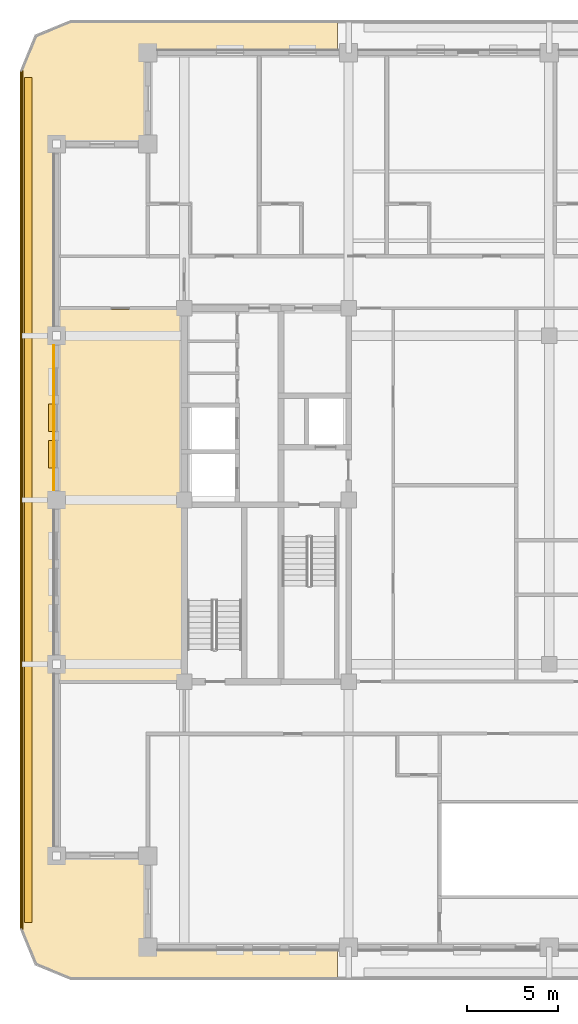
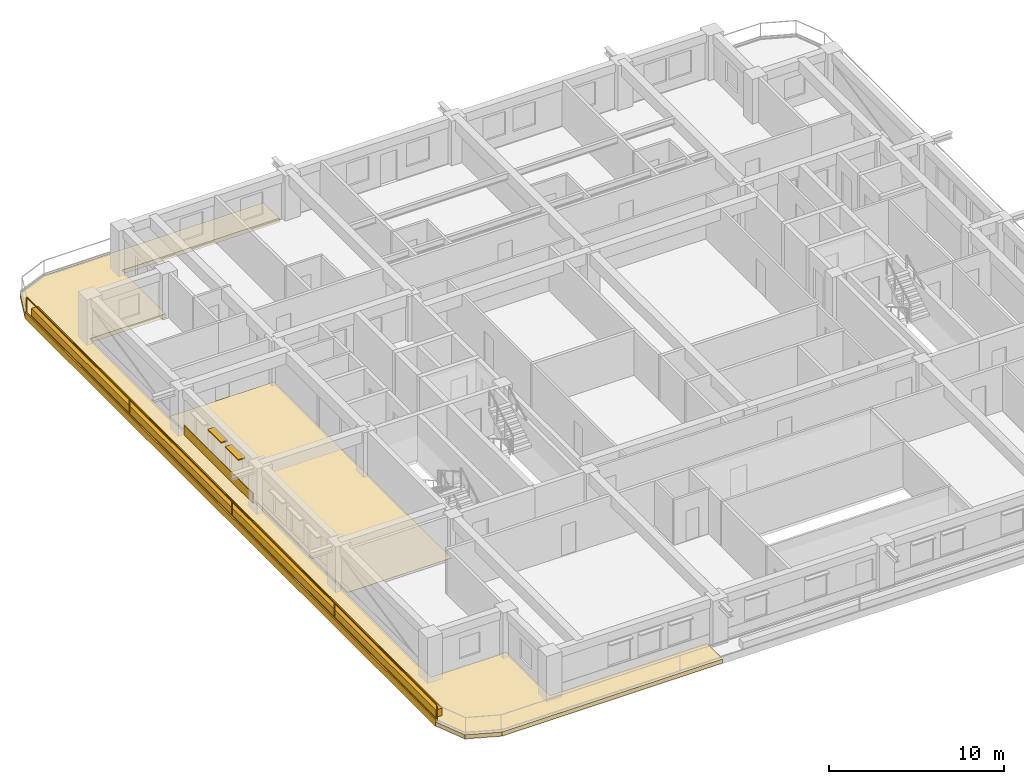
# One storey, part 10 of 14: 5 coverings, 2 shading devices, 1 railing.
"""IFC4 building model written with IfcOpenShell, lengths in metres."""

import ifcopenshell
import ifcopenshell.guid

model = None  # the IFC model being written
_history = None  # IfcOwnerHistory: only IFC2X3 demands one
_inside = {}  # id of a spatial element -> (the spatial element, [elements in it])
_under = {}  # id of a project, library or spatial element -> (it, [spatial elements below it])
_declared = {}  # id of a project -> (the project, [libraries it declares])
_typed = {}  # id of a type object -> (the type object, [elements of that type])
_made_of = {}  # id of a material, layer set ... -> (it, [elements and type objects made of it])


def new_model(schema):
    """Start an empty IFC model of exactly this schema.

    Asked for "IFC4X3", IfcOpenShell would pick the latest addendum, in which some entities
    have other attributes; the version numbers below select the first issue.
    IFC2X3 requires an IfcOwnerHistory on every rooted entity: one is made here for all.
    """
    global model, _history
    if schema == "IFC4X3":
        model = ifcopenshell.file(schema_version=(4, 3, 0, 0))
    else:
        model = ifcopenshell.file(schema=schema)
    _inside.clear()
    _under.clear()
    _declared.clear()
    _typed.clear()
    _made_of.clear()
    _history = None
    if model.schema == "IFC2X3":
        org = make("IfcOrganization", Name="unknown")
        user = make(
            "IfcPersonAndOrganization",
            ThePerson=make("IfcPerson", FamilyName="unknown"),
            TheOrganization=org,
        )
        app = make(
            "IfcApplication",
            ApplicationDeveloper=org,
            Version="unknown",
            ApplicationFullName="unknown",
            ApplicationIdentifier="unknown",
        )
        _history = make(
            "IfcOwnerHistory",
            OwningUser=user,
            OwningApplication=app,
            ChangeAction="ADDED",
            CreationDate=0,
        )
    return model


def make(cls, **values):
    """One entity of the class cls with the attributes given. An attribute that is None is left unset."""
    return model.create_entity(
        cls, **{name: value for name, value in values.items() if value is not None}
    )


def rooted(cls, **values):
    """An entity with a GlobalId (a new one), such as an element, a storey or a relation."""
    return make(cls, GlobalId=ifcopenshell.guid.new(), OwnerHistory=_history, **values)


def si_unit(unit_type, name, prefix=None):
    """IfcSIUnit, for example si_unit("LENGTHUNIT", "METRE", prefix="MILLI")."""
    return make("IfcSIUnit", UnitType=unit_type, Prefix=prefix, Name=name)


def assignment(units):
    """IfcUnitAssignment: the units of a project."""
    return None if units is None else make("IfcUnitAssignment", Units=units)


def point(xyz):
    """IfcCartesianPoint."""
    return None if xyz is None else make("IfcCartesianPoint", Coordinates=xyz)


def direction(xyz):
    """IfcDirection."""
    return None if xyz is None else make("IfcDirection", DirectionRatios=xyz)


def frame(location, z_axis=None, x_axis=None):
    """IfcAxis2Placement3D, a coordinate frame: its origin and axes. An axis left out is left unset."""
    return make(
        "IfcAxis2Placement3D",
        Location=point(location),
        Axis=direction(z_axis),
        RefDirection=direction(x_axis),
    )


def frame_2d(location, x_axis=None):
    """IfcAxis2Placement2D, a coordinate frame in the plane: its origin and x axis."""
    return make(
        "IfcAxis2Placement2D", Location=point(location), RefDirection=direction(x_axis)
    )


def origin():
    """The frame at (0, 0, 0) with its axes left unset."""
    return frame((0.0, 0.0, 0.0))


def origin_2d():
    """The frame at (0, 0) in the plane with its x axis left unset."""
    return frame_2d((0.0, 0.0))


def place(relative_to, where):
    """IfcLocalPlacement: puts the frame where relative to a parent placement (None: the world)."""
    return make(
        "IfcLocalPlacement", PlacementRelTo=relative_to, RelativePlacement=where
    )


def context(
    kind, dimensions, precision=None, world=None, true_north=None, identifier=None
):
    """IfcGeometricRepresentationContext, for example the 3D "Model" context."""
    return make(
        "IfcGeometricRepresentationContext",
        ContextIdentifier=identifier,
        ContextType=kind,
        CoordinateSpaceDimension=dimensions,
        Precision=precision,
        WorldCoordinateSystem=world,
        TrueNorth=true_north,
    )


def subcontext(parent, identifier, kind, view, scale=None):
    """IfcGeometricRepresentationSubContext, for example "Body" below "Model"."""
    return make(
        "IfcGeometricRepresentationSubContext",
        ContextIdentifier=identifier,
        ContextType=kind,
        ParentContext=parent,
        TargetScale=scale,
        TargetView=view,
    )


def project(units=None, contexts=None):
    """IfcProject with its units and contexts."""
    return rooted(
        "IfcProject",
        Name="project",
        RepresentationContexts=contexts,
        UnitsInContext=assignment(units),
    )


def spatial(cls, under=None, at=None, **own):
    """A site, building, storey or space (cls), placed at a placement, below another one or the project."""
    s = rooted(cls, ObjectPlacement=at, **own)
    if under is not None:
        _under.setdefault(under.id(), (under, []))[1].append(s)
    return s


def polyline(points):
    """IfcPolyline through the points."""
    return make("IfcPolyline", Points=[point(p) for p in points])


def profile(cls, at=None, kind="AREA", **sizes):
    """A parametric profile (cls). Its sizes go by their IFC names, for example OverallWidth=200.0."""
    return make(cls, ProfileType=kind, Position=at, **sizes)


def rectangle(**sizes):
    """IfcRectangleProfileDef."""
    return profile("IfcRectangleProfileDef", **sizes)


def outline(outer, holes=None, kind="AREA"):
    """IfcArbitraryClosedProfileDef: a profile drawn as a closed curve; with holes, ...WithVoids."""
    if holes is None:
        return make("IfcArbitraryClosedProfileDef", ProfileType=kind, OuterCurve=outer)
    return make(
        "IfcArbitraryProfileDefWithVoids",
        ProfileType=kind,
        OuterCurve=outer,
        InnerCurves=holes,
    )


def extrude(swept, where, along, depth):
    """IfcExtrudedAreaSolid: the profile swept, set in the frame where, extruded along a direction by depth."""
    return make(
        "IfcExtrudedAreaSolid",
        SweptArea=swept,
        Position=where,
        ExtrudedDirection=direction(along),
        Depth=depth,
    )


def shape(context_of_items, identifier, shape_type, items):
    """IfcShapeRepresentation: the items that make up one representation, for example the "Body"."""
    return make(
        "IfcShapeRepresentation",
        ContextOfItems=context_of_items,
        RepresentationIdentifier=identifier,
        RepresentationType=shape_type,
        Items=items,
    )


def material(Name=None, Category=None):
    """IfcMaterial."""
    return make("IfcMaterial", Name=Name, Category=Category)


def layer(
    of_material, thickness, ventilated=None, Name=None, Category=None, Priority=None
):
    """IfcMaterialLayer: one layer of a wall or slab, of a material (None: an air gap)."""
    return make(
        "IfcMaterialLayer",
        Material=of_material,
        LayerThickness=thickness,
        IsVentilated=ventilated,
        Name=Name,
        Category=Category,
        Priority=Priority,
    )


def layer_set(layers, Name=None):
    """IfcMaterialLayerSet."""
    return make("IfcMaterialLayerSet", MaterialLayers=layers, LayerSetName=Name)


def made_of(thing, what):
    """Note that an element or type object is made of a material, layer set ...; save() writes the relation."""
    if what is not None:
        _made_of.setdefault(what.id(), (what, []))[1].append(thing)
    return thing


def type_object(cls, material=None, **own):
    """A type object (cls), such as IfcWallType, which elements share."""
    return made_of(rooted(cls, **own), material)


def element(
    cls,
    number,
    at=None,
    inside=None,
    cuts=None,
    type_object=None,
    material=None,
    context=None,
    identifier="Body",
    shape_type=None,
    held_by="IfcProductDefinitionShape",
    body=None,
    shapes=None,
    **own,
):
    """One element of the class cls, such as IfcWall. Its Tag is "e" and its number.

    at: its placement. inside: the storey or other place that contains it. cuts: it is an
    opening in that element (IfcRelVoidsElement). A single representation is given by context,
    identifier, shape_type and body (its items); several are given by shapes. held_by: the class
    of the entity that holds the representations. save() writes the other relations.
    """
    e = rooted(cls, Tag="e%d" % number, ObjectPlacement=at, **own)
    if body is not None:
        shapes = [shape(context, identifier, shape_type, body)]
    if shapes is not None:
        e.Representation = make(held_by, Representations=shapes)
    if inside is not None:
        _inside.setdefault(inside.id(), (inside, []))[1].append(e)
    if cuts is not None:
        rooted(
            "IfcRelVoidsElement", RelatingBuildingElement=cuts, RelatedOpeningElement=e
        )
    if type_object is not None:
        _typed.setdefault(type_object.id(), (type_object, []))[1].append(e)
    return made_of(e, material)


def aggregate(whole, parts):
    """IfcRelAggregates: a whole, such as a stair, and the parts it consists of."""
    return rooted("IfcRelAggregates", RelatingObject=whole, RelatedObjects=parts)


def save(model, path):
    """Write the relations noted so far, then the file.

    IfcRelAggregates (storeys below a building ...), IfcRelContainedInSpatialStructure (elements
    in a storey), IfcRelDefinesByType, IfcRelAssociatesMaterial and IfcRelDeclares: one each for
    every whole, place, type object, material and project.
    """
    for whole, parts in _under.values():
        aggregate(whole, parts)
    for where, things in _inside.values():
        rooted(
            "IfcRelContainedInSpatialStructure",
            RelatedElements=things,
            RelatingStructure=where,
        )
    for kind, things in _typed.values():
        rooted("IfcRelDefinesByType", RelatedObjects=things, RelatingType=kind)
    for what, things in _made_of.values():
        rooted("IfcRelAssociatesMaterial", RelatedObjects=things, RelatingMaterial=what)
    for by, libraries in _declared.values():
        rooted("IfcRelDeclares", RelatingContext=by, RelatedDefinitions=libraries)
    model.write(path)


model = new_model("IFC4")

# Units and contexts
model_context = context("Model", 3, precision=1e-05, world=origin(), true_north=direction((0.0, 1.0)))
body_context = subcontext(model_context, "Body", "Model", "MODEL_VIEW")
ifc_project = project(units=[si_unit("LENGTHUNIT", "METRE"), si_unit("AREAUNIT", "SQUARE_METRE"), si_unit("VOLUMEUNIT", "CUBIC_METRE"), si_unit("PLANEANGLEUNIT", "RADIAN"), si_unit("MASSUNIT", "GRAM", prefix="KILO")], contexts=[model_context])

# Site, building, storey
site_placement = place(None, origin())
site = spatial("IfcSite", under=ifc_project, at=site_placement, CompositionType="ELEMENT")
building_placement = place(site_placement, origin())
building = spatial("IfcBuilding", under=site, at=building_placement, Name="Zulmaris Gate Convention Tower", CompositionType="ELEMENT")
storey_placement = place(building_placement, frame((0.0, 0.0, 215.260009765625)))
storey = spatial("IfcBuildingStorey", under=building, at=storey_placement, Name="L56", CompositionType="ELEMENT", Elevation=215.260009765625)

# Coverings
ifc_material_1 = material(Name="Precast concrete C40/50", Category="concrete")
ifc_layer_1 = layer(ifc_material_1, 0.0400390625, Name="Precast concrete C40/50")
ifc_layer_set_1 = layer_set([ifc_layer_1], Name="Precast concrete C40/50")
covering_type_1 = type_object("IfcCoveringType", Name="CLAD-SPANDREL-PRECAST", PredefinedType="CLADDING", material=ifc_layer_set_1)
covering_1_placement = place(storey_placement, frame((-27.14990234375, 8.469970703125, 0.0), z_axis=(0.0, 0.0, 1.0), x_axis=(0.0, -1.0, 0.0)))
element("IfcCovering", 1, at=covering_1_placement, inside=storey, type_object=covering_type_1, Name="CLD-L56-W-2_0", PredefinedType="CLADDING", context=body_context, shape_type="SweptSolid", body=[
    extrude(rectangle(XDim=7.93994140625, YDim=0.0400390625, at=frame_2d((3.969970703125, 0.0))), origin(), (0.0, 0.0, 1.0), 0.679931640625),
])
ifc_material_2 = material(Name="White Glazed Architectural Precast Concrete C40/50", Category="concrete")
ifc_layer_2 = layer(ifc_material_2, 0.239990234375, Name="White Glazed Architectural Precast Concrete C40/50")
ifc_layer_set_2 = layer_set([ifc_layer_2], Name="White Glazed Architectural Precast Concrete C40/50")
covering_type_2 = type_object("IfcCoveringType", Name="CLAD-TRAY-DECK", PredefinedType="CLADDING", material=ifc_layer_set_2)
covering_2_placement = place(storey_placement, frame((0.0, 0.0, -0.324951171875)))
element("IfcCovering", 2, at=covering_2_placement, inside=storey, type_object=covering_type_2, Name="L56 West Rounded-Fascia Planter Tray Deck", PredefinedType="CLADDING", context=body_context, shape_type="SweptSolid", body=[
    extrude(outline(polyline([(-29.0, 23.5), (-28.179931640625, 25.47998046875), (-26.199951171875, 26.300048828125), (-11.60205078125, 26.300048828125), (-11.60205078125, 24.5), (-22.0, 24.5), (-22.0, 19.5), (-27.0, 19.5), (-27.0, -19.5), (-22.0, -19.5), (-22.0, -24.5), (-11.60205078125, -24.5), (-11.60205078125, -26.300048828125), (-26.199951171875, -26.300048828125), (-28.179931640625, -25.47998046875), (-29.0, -23.5), (-29.0, 23.5)])), origin(), (0.0, 0.0, 1.0), 0.284912109375),
])
ifc_layer_3 = layer(ifc_material_2, 0.080078125, Name="White Glazed Architectural Precast Concrete C40/50")
ifc_layer_set_3 = layer_set([ifc_layer_3], Name="White Glazed Architectural Precast Concrete C40/50")
covering_type_3 = type_object("IfcCoveringType", Name="CLAD-TRAY-FASCIA", PredefinedType="CLADDING", material=ifc_layer_set_3)
covering_3_placement = place(storey_placement, frame((-28.9599609375, 23.5, -0.364990234375), z_axis=(0.0, 0.0, 1.0), x_axis=(0.0, -1.0, 0.0)))
element("IfcCovering", 3, at=covering_3_placement, inside=storey, type_object=covering_type_3, Name="FSC-L56-TR-11", PredefinedType="CLADDING", context=body_context, shape_type="SweptSolid", body=[
    extrude(rectangle(XDim=47.0, YDim=0.080078125, at=frame_2d((23.5, 0.0))), origin(), (0.0, 0.0, 1.0), 0.48486328125),
])
ifc_material_3 = material(Name="Engineered Teak Parquet Flooring")
ifc_layer_4 = layer(ifc_material_3, 0.02001953125, Name="Engineered Teak Parquet Flooring")
ifc_layer_set_4 = layer_set([ifc_layer_4], Name="Engineered Teak Parquet Flooring")
covering_type_4 = type_object("IfcCoveringType", Name="FLR-TIMBER-18", PredefinedType="FLOORING", material=ifc_layer_set_4)
covering_4_placement = place(storey_placement, origin())
element("IfcCovering", 4, at=covering_4_placement, inside=storey, type_object=covering_type_4, Name="FLR-L56-R58", PredefinedType="FLOORING", context=body_context, shape_type="SweptSolid", body=[
    extrude(outline(polyline([(-26.93994140625, -9.889892578125), (-20.06005859375, -9.889892578125), (-20.06005859375, 10.43994140625), (-26.93994140625, 10.43994140625), (-26.93994140625, -9.889892578125)])), origin(), (0.0, 0.0, 1.0), 0.02001953125),
])
ifc_material_4 = material(Name="Botanical Green Glazed Precast Concrete C40/50", Category="concrete")
ifc_layer_5 = layer(ifc_material_4, 0.419921875, Name="Botanical Green Glazed Precast Concrete C40/50")
ifc_layer_set_5 = layer_set([ifc_layer_5], Name="Botanical Green Glazed Precast Concrete C40/50")
covering_type_5 = type_object("IfcCoveringType", Name="PLANTER-BOX-200", PredefinedType="CLADDING", material=ifc_layer_set_5)
covering_5_placement = place(storey_placement, frame((0.0, 0.0, -0.0400390625)))
element("IfcCovering", 5, at=covering_5_placement, inside=storey, type_object=covering_type_5, Name="L56 W Full-Length Balcony Tree Planter Trough", PredefinedType="CLADDING", context=body_context, shape_type="SweptSolid", body=[
    extrude(outline(polyline([(-28.760009765625, -23.14990234375), (-28.340087890625, -23.14990234375), (-28.340087890625, 23.14990234375), (-28.760009765625, 23.14990234375), (-28.760009765625, -23.14990234375)])), origin(), (0.0, 0.0, 1.0), 0.52001953125),
])

# Railing
ifc_material_5 = material(Name="Laminated Glass and Stainless Steel", Category="steel")
railing_type = type_object("IfcRailingType", Name="RL-BALC-1150", PredefinedType="BALUSTRADE", material=ifc_material_5)
railing_placement = place(storey_placement, frame((-28.8798828125, 23.5, -0.0400390625)))
element("IfcRailing", 6, at=railing_placement, inside=storey, type_object=railing_type, Name="RL-L56-BALC-W", PredefinedType="BALUSTRADE", context=body_context, shape_type="SweptSolid", body=[
    extrude(rectangle(XDim=0.048095703125, YDim=0.048095703125, at=origin_2d()), frame((0.0, 0.0, 1.1259765625), z_axis=(0.0, -1.0, 0.0), x_axis=(1.0, 0.0, 0.0)), (0.0, 0.0, 1.0), 47.0),
    extrude(rectangle(XDim=0.048095703125, YDim=0.048095703125, at=origin_2d()), frame((0.0, 0.0, 0.02392578125), z_axis=(0.0, -1.0, 0.0), x_axis=(1.0, 0.0, 0.0)), (0.0, 0.0, 1.0), 47.0),
    extrude(rectangle(XDim=0.0419921875, YDim=0.0419921875, at=origin_2d()), origin(), (0.0, 0.0, 1.0), 1.101806640625),
    extrude(rectangle(XDim=0.0419921875, YDim=0.0419921875, at=origin_2d()), frame((0.0, -11.75, 0.0)), (0.0, 0.0, 1.0), 1.101806640625),
    extrude(rectangle(XDim=0.0419921875, YDim=0.0419921875, at=origin_2d()), frame((0.0, -23.5, 0.0)), (0.0, 0.0, 1.0), 1.101806640625),
    extrude(rectangle(XDim=0.0419921875, YDim=0.0419921875, at=origin_2d()), frame((0.0, -35.25, 0.0)), (0.0, 0.0, 1.0), 1.101806640625),
    extrude(rectangle(XDim=0.0419921875, YDim=0.0419921875, at=origin_2d()), frame((0.0, -47.0, 0.0)), (0.0, 0.0, 1.0), 1.101806640625),
])

# Shading devices
ifc_material_6 = material(Name="Glazed Ceramic Terracotta", Category="masonry")
ifc_layer_6 = layer(ifc_material_6, 0.070068359375, Name="Glazed Ceramic Terracotta")
ifc_layer_set_6 = layer_set([ifc_layer_6], Name="Glazed Ceramic Terracotta")
shading_device_type = type_object("IfcShadingDeviceType", Name="SHD-SUNSHADE-TC", PredefinedType="AWNING", material=ifc_layer_set_6)
for number, where, z_axis, x_axis, name in (
    (7, (-27.219970703125, 5.25, 2.35009765625), (0.0, 0.0, 1.0), (0.0, -1.0, 0.0), "SHD-EW-L56-W-2_0-2"),
    (8, (-27.219970703125, 3.264892578125, 2.35009765625), (0.0, 0.0, 1.0), (0.0, -1.0, 0.0), "SHD-EW-L56-W-2_0-3"),
):
    element("IfcShadingDevice", number, at=place(storey_placement, frame(where, z_axis=z_axis, x_axis=x_axis)), inside=storey, type_object=shading_device_type, Name=name, PredefinedType="AWNING", context=body_context, shape_type="SweptSolid", body=[
        extrude(rectangle(XDim=1.5, YDim=0.43994140625, at=frame_2d((0.75, 0.0))), origin(), (0.0, 0.0, 1.0), 0.06982421875),
    ])

save(model, "model.ifc")
